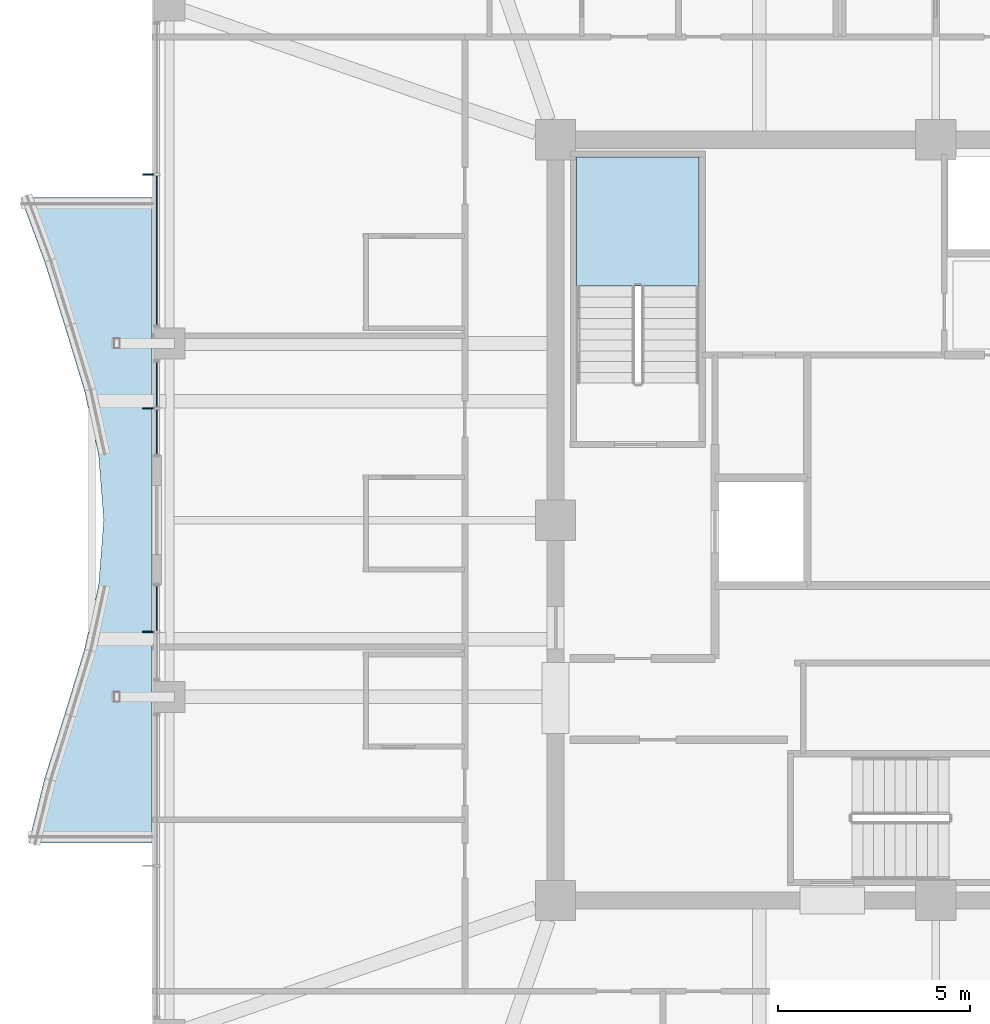
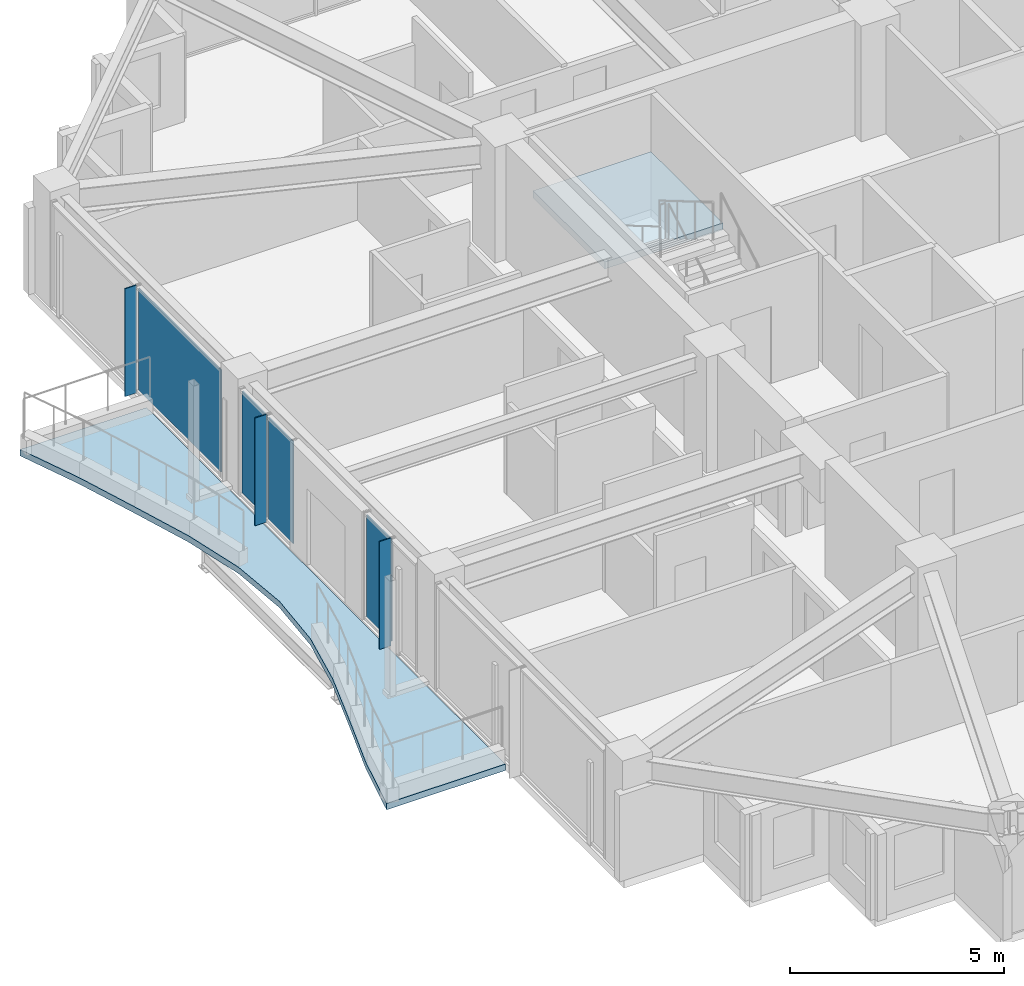
# One storey, part 24 of 35: 7 plates, 2 slabs, 4 elements without a shape of their own.
"""IFC4 building model written with IfcOpenShell, lengths in metres."""

from ifc_helpers import new_model, si_unit, direction, frame, origin, origin_2d, place, context, subcontext, project, spatial, polyline, rectangle, outline, extrude, material, layer, layer_set, type_object, element, aggregate, save


model = new_model("IFC4")

# Units and contexts
model_context = context("Model", 3, precision=1e-05, world=origin(), true_north=direction((0.0, 1.0)))
body_context = subcontext(model_context, "Body", "Model", "MODEL_VIEW")
ifc_project = project(units=[si_unit("LENGTHUNIT", "METRE"), si_unit("AREAUNIT", "SQUARE_METRE"), si_unit("VOLUMEUNIT", "CUBIC_METRE"), si_unit("PLANEANGLEUNIT", "RADIAN"), si_unit("MASSUNIT", "GRAM", prefix="KILO")], contexts=[model_context])

# Site, building, storey
site_placement = place(None, origin())
site = spatial("IfcSite", under=ifc_project, at=site_placement, CompositionType="ELEMENT")
building_placement = place(site_placement, origin())
building = spatial("IfcBuilding", under=site, at=building_placement, Name="Kolvaren Belvedere", CompositionType="ELEMENT")
storey_placement = place(building_placement, frame((0.0, 0.0, 216.300048828125)))
storey = spatial("IfcBuildingStorey", under=building, at=storey_placement, Name="L63", CompositionType="ELEMENT", Elevation=216.300048828125)

# Curtain wall, plate
ifc_material_1 = material(Name="Anodised pale-metal aluminium AA 6063-T6", Category="aluminium")
curtain_wall_type = type_object("IfcCurtainWallType", Name="CW-Z5-HIGH", PredefinedType="NOTDEFINED", material=ifc_material_1)
curtain_wall_1_placement = place(storey_placement, origin())
curtain_wall_1 = element("IfcCurtainWall", 1, at=curtain_wall_1_placement, inside=storey, type_object=curtain_wall_type, Name="L63 Unitised Curtain Wall FCW-L63-W1-B2", PredefinedType="NOTDEFINED")
ifc_material_2 = material(Name="Low-iron triple insulated glass", Category="glass")
ifc_layer_1 = layer(ifc_material_2, 0.028076171875)
ifc_layer_set_1 = layer_set([ifc_layer_1], Name="Low-iron triple insulated glass")
plate_type_1 = type_object("IfcPlateType", Name="CW-PNL-VIS28", PredefinedType="CURTAIN_PANEL", material=ifc_layer_set_1)
plate_1_placement = place(storey_placement, frame((-20.280029296875, -2.296142578125, 0.080078125), z_axis=(0.0, 0.0, 1.0), x_axis=(0.0, 1.0, 0.0)))
plate_1 = element("IfcPlate", 2, at=plate_1_placement, type_object=plate_type_1, Name="FCW-L63-W1-B2 Vision Glazing Panel 2", PredefinedType="CURTAIN_PANEL", context=body_context, shape_type="SweptSolid", body=[
    extrude(rectangle(XDim=1.152587890625, YDim=0.028076171875, at=origin_2d()), origin(), (0.0, 0.0, 1.0), 2.919921875),
])
aggregate(curtain_wall_1, [plate_1])

# Curtain wall, plates
curtain_wall_2_placement = place(storey_placement, origin())
curtain_wall_2 = element("IfcCurtainWall", 3, at=curtain_wall_2_placement, inside=storey, type_object=curtain_wall_type, Name="L63 Unitised Curtain Wall FCW-L63-W2-B1", PredefinedType="NOTDEFINED")
plate_2_placement = place(storey_placement, frame((-20.280029296875, 2.296142578125, 0.080078125), z_axis=(0.0, 0.0, 1.0), x_axis=(0.0, 1.0, 0.0)))
plate_2 = element("IfcPlate", 4, at=plate_2_placement, type_object=plate_type_1, Name="FCW-L63-W2-B1 Vision Glazing Panel 1", PredefinedType="CURTAIN_PANEL", context=body_context, shape_type="SweptSolid", body=[
    extrude(rectangle(XDim=1.152587890625, YDim=0.028076171875, at=origin_2d()), origin(), (0.0, 0.0, 1.0), 2.919921875),
])
plate_3_placement = place(storey_placement, frame((-20.280029296875, 3.52880859375, 0.080078125), z_axis=(0.0, 0.0, 1.0), x_axis=(0.0, 1.0, 0.0)))
plate_3 = element("IfcPlate", 5, at=plate_3_placement, type_object=plate_type_1, Name="FCW-L63-W2-B1 Vision Glazing Panel 2", PredefinedType="CURTAIN_PANEL", context=body_context, shape_type="SweptSolid", body=[
    extrude(rectangle(XDim=1.152587890625, YDim=0.028076171875, at=origin_2d()), origin(), (0.0, 0.0, 1.0), 2.919921875),
])
aggregate(curtain_wall_2, [plate_2, plate_3])

# Curtain wall, plate
curtain_wall_3_placement = place(storey_placement, origin())
curtain_wall_3 = element("IfcCurtainWall", 6, at=curtain_wall_3_placement, inside=storey, type_object=curtain_wall_type, Name="L63 Unitised Curtain Wall FCW-L63-W2-B2", PredefinedType="NOTDEFINED")
plate_4_placement = place(storey_placement, frame((-20.280029296875, 7.027587890625, 0.080078125), z_axis=(0.0, 0.0, 1.0), x_axis=(0.0, 1.0, 0.0)))
plate_4 = element("IfcPlate", 7, at=plate_4_placement, type_object=plate_type_1, Name="FCW-L63-W2-B2 Vision Glazing Panel 1", PredefinedType="CURTAIN_PANEL", context=body_context, shape_type="SweptSolid", body=[
    extrude(rectangle(XDim=3.864990234375, YDim=0.028076171875, at=origin_2d()), origin(), (0.0, 0.0, 1.0), 2.919921875),
])
aggregate(curtain_wall_3, [plate_4])

# Plates
ifc_material_3 = material(Name="Anodised pale-metal aluminium AA 6063-T6", Category="aluminium")
ifc_layer_2 = layer(ifc_material_3, 0.030029296875)
ifc_layer_set_2 = layer_set([ifc_layer_2], Name="Anodised pale-metal aluminium AA 6063-T6")
plate_type_2 = type_object("IfcPlateType", Name="FIN-VERT-300", PredefinedType="USERDEFINED", material=ifc_layer_set_2)
for number, where, z_axis, x_axis, name in (
    (8, (-20.489990234375, -2.91259765625, 0.0), (0.0, 0.0, 1.0), (1.0, 0.0, 0.0), "L63 Pale-Metal Vertical Shading Fin FCW-L63-W1-B2-1"),
    (9, (-20.489990234375, 2.91259765625, 0.0), (0.0, 0.0, 1.0), (1.0, 0.0, 0.0), "L63 Pale-Metal Vertical Shading Fin FCW-L63-W2-B1-1"),
    (10, (-20.489990234375, 9.0, 0.0), (0.0, 0.0, 1.0), (1.0, 0.0, 0.0), "L63 Pale-Metal Vertical Shading Fin FCW-L63-W2-B2-1"),
):
    element("IfcPlate", number, at=place(storey_placement, frame(where, z_axis=z_axis, x_axis=x_axis)), inside=storey, type_object=plate_type_2, Name=name, ObjectType="VERTICAL FIN", PredefinedType="USERDEFINED", context=body_context, shape_type="SweptSolid", body=[
        extrude(rectangle(XDim=0.300048828125, YDim=0.030029296875, at=origin_2d()), origin(), (0.0, 0.0, 1.0), 3.080078125),
    ])

# Slab
ifc_material_4 = material(Name="Concrete C50/60", Category="concrete")
ifc_layer_3 = layer(ifc_material_4, 0.179931640625)
ifc_layer_set_3 = layer_set([ifc_layer_3], Name="Concrete C50/60")
slab_type_1 = type_object("IfcSlabType", Name="SL-BAL-180", PredefinedType="FLOOR", material=ifc_layer_set_3)
slab_1_placement = place(storey_placement, frame((0.0, 0.0, -0.219970703125)))
element("IfcSlab", 11, at=slab_1_placement, inside=storey, type_object=slab_type_1, Name="L63 Planted Balcony BAL-W", PredefinedType="FLOOR", context=body_context, shape_type="SweptSolid", body=[
    extrude(outline(polyline([(-23.820068359375, 8.39990234375), (-23.19970703125, 6.719970703125), (-22.672119140625, 5.0400390625), (-22.161376953125, 3.360107421875), (-21.793701171875, 1.679931640625), (-21.659912109375, 0.0), (-21.793701171875, -1.679931640625), (-22.161376953125, -3.360107421875), (-22.672119140625, -5.0400390625), (-23.19970703125, -6.719970703125), (-23.61376953125, -8.39990234375), (-20.39990234375, -8.39990234375), (-20.39990234375, -6.719970703125), (-20.39990234375, -5.0400390625), (-20.39990234375, -3.360107421875), (-20.39990234375, -1.679931640625), (-20.39990234375, 0.0), (-20.39990234375, 1.679931640625), (-20.39990234375, 3.360107421875), (-20.39990234375, 5.0400390625), (-20.39990234375, 6.719970703125), (-20.39990234375, 8.39990234375), (-23.820068359375, 8.39990234375)])), origin(), (0.0, 0.0, 1.0), 0.179931640625),
])

# Stair, slab
ifc_material_5 = material(Name="Concrete C50/60", Category="concrete")
stair_type = type_object("IfcStairType", Name="ST-CORE-1520", PredefinedType="HALF_TURN_STAIR", material=ifc_material_5)
stair_placement = place(storey_placement, origin())
stair = element("IfcStair", 12, at=stair_placement, inside=storey, type_object=stair_type, Name="L63 Protected Exit Stair ST-1", PredefinedType="HALF_TURN_STAIR")
ifc_material_6 = material(Name="Concrete C50/60", Category="concrete")
ifc_layer_4 = layer(ifc_material_6, 0.260009765625)
ifc_layer_set_4 = layer_set([ifc_layer_4], Name="Concrete C50/60")
slab_type_2 = type_object("IfcSlabType", Name="SL-LAND-260", PredefinedType="LANDING", material=ifc_layer_set_4)
slab_2_placement = place(storey_placement, frame((0.0, 0.0, 1.449951171875)))
slab_2 = element("IfcSlab", 13, at=slab_2_placement, type_object=slab_type_2, Name="ST-1 landing 1", PredefinedType="LANDING", context=body_context, shape_type="SweptSolid", body=[
    extrude(outline(polyline([(-6.159912109375, 6.090087890625), (-6.159912109375, 9.449951171875), (-9.35009765625, 9.449951171875), (-9.35009765625, 6.090087890625), (-6.159912109375, 6.090087890625)])), origin(), (0.0, 0.0, 1.0), 0.199951171875),
])
aggregate(stair, [slab_2])

save(model, "model.ifc")
